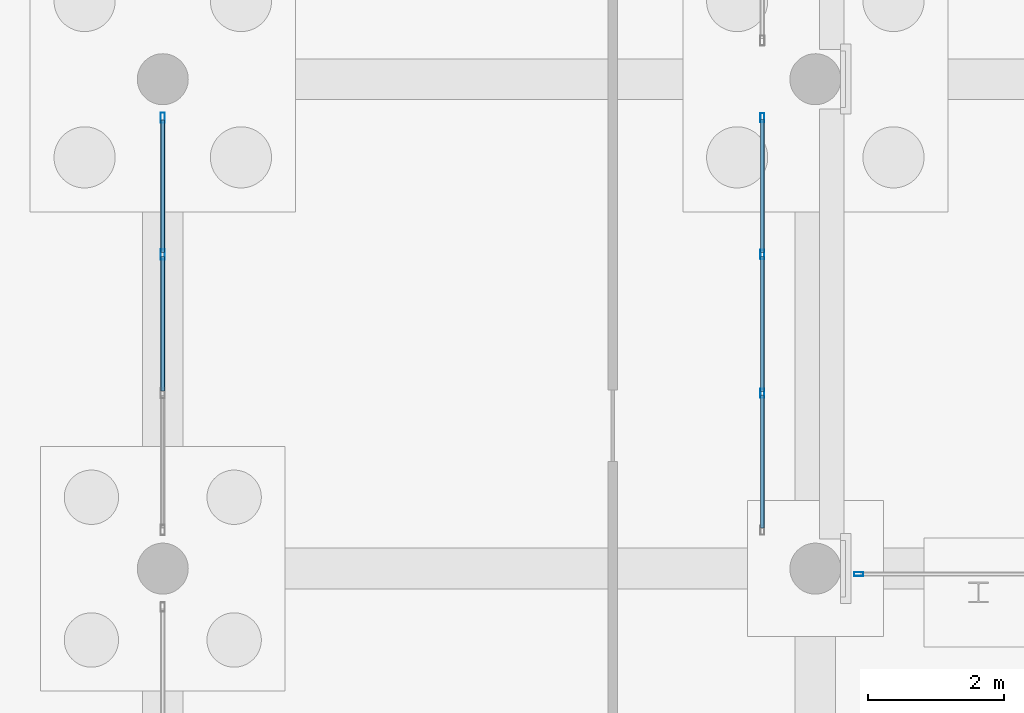
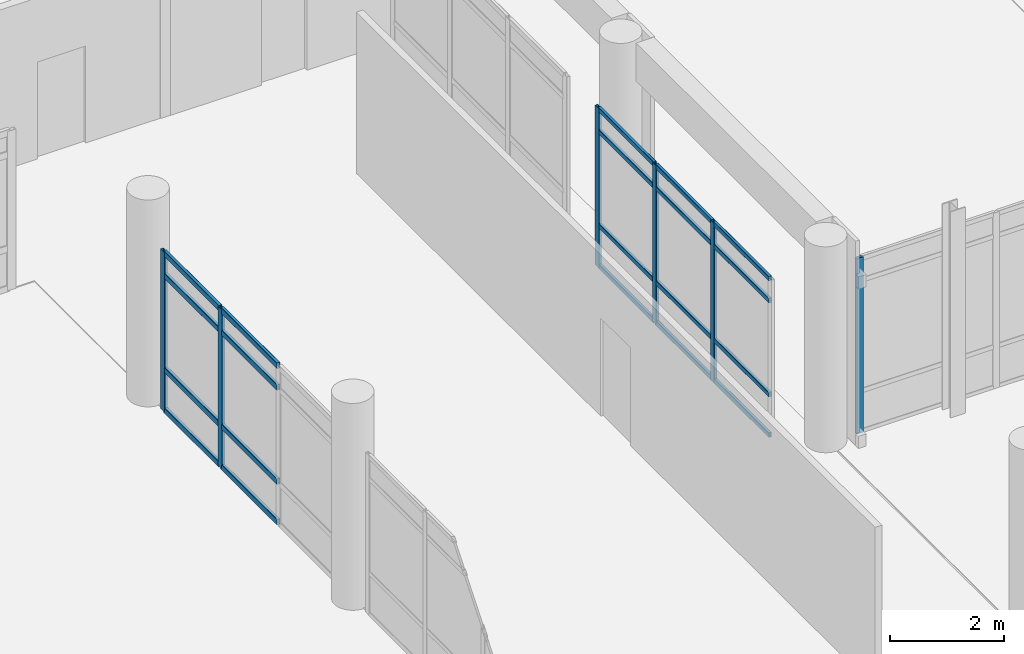
# One storey, part 108 of 196: 26 members, 3 elements without a shape of their own.
"""IFC4 building model written with IfcOpenShell, lengths in metres."""

from ifc_helpers import new_model, si_unit, direction, frame, origin, origin_2d, place, context, subcontext, project, spatial, hollow_rectangle, extrude, material, layer, layer_set, material_profile, profile_set, type_object, element, aggregate, save


model = new_model("IFC4")

# Units and contexts
model_context = context("Model", 3, precision=1e-05, world=origin(), true_north=direction((0.0, 1.0)))
body_context = subcontext(model_context, "Body", "Model", "MODEL_VIEW")
ifc_project = project(units=[si_unit("LENGTHUNIT", "METRE"), si_unit("AREAUNIT", "SQUARE_METRE"), si_unit("VOLUMEUNIT", "CUBIC_METRE"), si_unit("PLANEANGLEUNIT", "RADIAN"), si_unit("MASSUNIT", "GRAM", prefix="KILO")], contexts=[model_context])

# Site, building, storey
site_placement = place(None, origin())
site = spatial("IfcSite", under=ifc_project, at=site_placement, CompositionType="ELEMENT")
building_placement = place(site_placement, origin())
building = spatial("IfcBuilding", under=site, at=building_placement, Name="Asteropetra Specialist Clinic", CompositionType="ELEMENT")
storey_placement = place(building_placement, origin())
storey = spatial("IfcBuildingStorey", under=building, at=storey_placement, Name="L00", CompositionType="ELEMENT", Elevation=0.0)

# Curtain wall, member
ifc_material_1 = material(Name="Aluminium and low-E glass", Category="aluminium")
ifc_layer_1 = layer(ifc_material_1, 0.14990234375)
ifc_layer_set_1 = layer_set([ifc_layer_1], Name="Aluminium and low-E glass")
curtain_wall_type_1 = type_object("IfcCurtainWallType", Name="CW-SYS-02", PredefinedType="USERDEFINED", material=ifc_layer_set_1)
curtain_wall_1_placement = place(storey_placement, origin())
curtain_wall_1 = element("IfcCurtainWall", 1, at=curtain_wall_1_placement, inside=storey, type_object=curtain_wall_type_1, Name="Curtain Wall CW-110", ObjectType="UNITISED CURTAIN WALL", PredefinedType="USERDEFINED")
ifc_material_2 = material(Name="Aluminium 6063-T6", Category="aluminium")
ifc_material_profile_1 = material_profile(ifc_material_2, hollow_rectangle(XDim=0.06005859375, YDim=0.135009765625, WallThickness=0.00341796875, InnerFilletRadius=0.00341796875, OuterFilletRadius=0.007080078125, at=origin_2d()), Name="MUL 135x60x3.5")
ifc_profile_set_1 = profile_set([ifc_material_profile_1], Name="Aluminium 6063-T6")
member_type_1 = type_object("IfcMemberType", Name="CWM-135x60", PredefinedType="MULLION", material=ifc_profile_set_1)
member_1_placement = place(storey_placement, frame((77.43994140625, 83.919921875, 0.0), z_axis=(0.0, 0.0, 1.0), x_axis=(0.0, -1.0, 0.0)))
member_1 = element("IfcMember", 2, at=member_1_placement, type_object=member_type_1, Name="CW-110 mullion 4", PredefinedType="MULLION", context=body_context, shape_type="SweptSolid", body=[
    extrude(hollow_rectangle(XDim=0.06005859375, YDim=0.135009765625, WallThickness=0.00341796875, InnerFilletRadius=0.00341796875, OuterFilletRadius=0.007080078125, at=origin_2d()), origin(), (0.0, 0.0, 1.0), 3.77001953125),
])
aggregate(curtain_wall_1, [member_1])

# Curtain wall, members
ifc_material_3 = material(Name="Aluminium and low-E glass", Category="aluminium")
ifc_layer_2 = layer(ifc_material_3, 0.179931640625)
ifc_layer_set_2 = layer_set([ifc_layer_2], Name="Aluminium and low-E glass")
curtain_wall_type_2 = type_object("IfcCurtainWallType", Name="CW-SYS-10", PredefinedType="USERDEFINED", material=ifc_layer_set_2)
curtain_wall_2_placement = place(storey_placement, origin())
curtain_wall_2 = element("IfcCurtainWall", 3, at=curtain_wall_2_placement, inside=storey, type_object=curtain_wall_type_2, Name="Curtain Wall CW-188", ObjectType="STICK GLAZED COLONNADE", PredefinedType="USERDEFINED")
member_2_placement = place(storey_placement, frame((76.02001953125, 86.578369140625, 0.0), z_axis=(0.0, 0.0, 1.0), x_axis=(-1.0, 0.0, 0.0)))
member_2 = element("IfcMember", 4, at=member_2_placement, type_object=member_type_1, Name="CW-188 mullion 2", PredefinedType="MULLION", context=body_context, shape_type="SweptSolid", body=[
    extrude(hollow_rectangle(XDim=0.06005859375, YDim=0.135009765625, WallThickness=0.00341796875, InnerFilletRadius=0.00341796875, OuterFilletRadius=0.007080078125, at=origin_2d()), origin(), (0.0, 0.0, 1.0), 3.419921875),
])
member_3_placement = place(storey_placement, frame((76.02001953125, 88.62158203125, 0.0), z_axis=(0.0, 0.0, 1.0), x_axis=(-1.0, 0.0, 0.0)))
member_3 = element("IfcMember", 5, at=member_3_placement, type_object=member_type_1, Name="CW-188 mullion 3", PredefinedType="MULLION", context=body_context, shape_type="SweptSolid", body=[
    extrude(hollow_rectangle(XDim=0.06005859375, YDim=0.135009765625, WallThickness=0.00341796875, InnerFilletRadius=0.00341796875, OuterFilletRadius=0.007080078125, at=origin_2d()), origin(), (0.0, 0.0, 1.0), 3.419921875),
])
member_4_placement = place(storey_placement, frame((76.02001953125, 90.635009765625, 0.0), z_axis=(0.0, 0.0, 1.0), x_axis=(-1.0, 0.0, 0.0)))
member_4 = element("IfcMember", 6, at=member_4_placement, type_object=member_type_1, Name="CW-188 mullion 4", PredefinedType="MULLION", context=body_context, shape_type="SweptSolid", body=[
    extrude(hollow_rectangle(XDim=0.06005859375, YDim=0.135009765625, WallThickness=0.00341796875, InnerFilletRadius=0.00341796875, OuterFilletRadius=0.007080078125, at=origin_2d()), origin(), (0.0, 0.0, 1.0), 3.419921875),
])

ifc_material_4 = material(Name="Aluminium and low-E glass", Category="aluminium")
ifc_layer_3 = layer(ifc_material_4, 0.179931640625)
ifc_layer_set_3 = layer_set([ifc_layer_3], Name="Aluminium and low-E glass")
curtain_wall_type_3 = type_object("IfcCurtainWallType", Name="CW-SYS-07", PredefinedType="USERDEFINED", material=ifc_layer_set_3)
curtain_wall_3_placement = place(storey_placement, origin())
curtain_wall_3 = element("IfcCurtainWall", 7, at=curtain_wall_3_placement, inside=storey, type_object=curtain_wall_type_3, Name="Curtain Wall CW-016", ObjectType="STICK GLAZED COLONNADE", PredefinedType="USERDEFINED")
ifc_material_5 = material(Name="Aluminium 6063-T6", Category="aluminium")
ifc_material_profile_2 = material_profile(ifc_material_5, hollow_rectangle(XDim=0.06494140625, YDim=0.14990234375, WallThickness=0.00390625, InnerFilletRadius=0.00390625, OuterFilletRadius=0.008056640625, at=origin_2d()), Name="MUL 150x65x4.0")
ifc_profile_set_2 = profile_set([ifc_material_profile_2], Name="Aluminium 6063-T6")
member_type_2 = type_object("IfcMemberType", Name="CWM-150x65", PredefinedType="MULLION", material=ifc_profile_set_2)
member_5_placement = place(storey_placement, frame((67.199951171875, 88.62158203125, 0.0), z_axis=(0.0, 0.0, 1.0), x_axis=(-1.0, 0.0, 0.0)))
member_5 = element("IfcMember", 8, at=member_5_placement, type_object=member_type_2, Name="CW-016 mullion 3", PredefinedType="MULLION", context=body_context, shape_type="SweptSolid", body=[
    extrude(hollow_rectangle(XDim=0.06494140625, YDim=0.14990234375, WallThickness=0.00390625, InnerFilletRadius=0.00390625, OuterFilletRadius=0.008056640625, at=origin_2d()), origin(), (0.0, 0.0, 1.0), 3.419921875),
])
member_6_placement = place(storey_placement, frame((67.199951171875, 90.632568359375, 0.0), z_axis=(0.0, 0.0, 1.0), x_axis=(-1.0, 0.0, 0.0)))
member_6 = element("IfcMember", 9, at=member_6_placement, type_object=member_type_2, Name="CW-016 mullion 4", PredefinedType="MULLION", context=body_context, shape_type="SweptSolid", body=[
    extrude(hollow_rectangle(XDim=0.06494140625, YDim=0.14990234375, WallThickness=0.00390625, InnerFilletRadius=0.00390625, OuterFilletRadius=0.008056640625, at=origin_2d()), origin(), (0.0, 0.0, 1.0), 3.419921875),
])

# Member
ifc_material_6 = material(Name="Aluminium 6063-T6", Category="aluminium")
ifc_material_profile_3 = material_profile(ifc_material_6, hollow_rectangle(XDim=0.06005859375, YDim=0.10009765625, WallThickness=0.00341796875, InnerFilletRadius=0.00341796875, OuterFilletRadius=0.007080078125, at=origin_2d()), Name="TRN 100x60x3.5")
ifc_profile_set_3 = profile_set([ifc_material_profile_3], Name="Aluminium 6063-T6")
member_type_3 = type_object("IfcMemberType", Name="CWT-100x60", PredefinedType="USERDEFINED", material=ifc_profile_set_3)
member_7_placement = place(storey_placement, frame((76.02001953125, 84.594970703125, 0.030029296875), z_axis=(0.0, 1.0, 0.0), x_axis=(-1.0, 0.0, 0.0)))
member_7 = element("IfcMember", 10, at=member_7_placement, type_object=member_type_3, Name="CW-188 transom 1.1", ObjectType="TRANSOM", PredefinedType="USERDEFINED", context=body_context, shape_type="SweptSolid", body=[
    extrude(hollow_rectangle(XDim=0.06005859375, YDim=0.10009765625, WallThickness=0.00341796875, InnerFilletRadius=0.00341796875, OuterFilletRadius=0.007080078125, at=origin_2d()), origin(), (0.0, 0.0, 1.0), 1.953369140625),
])

member_8_placement = place(storey_placement, frame((76.02001953125, 84.594970703125, 0.89990234375), z_axis=(0.0, 1.0, 0.0), x_axis=(-1.0, 0.0, 0.0)))
member_8 = element("IfcMember", 11, at=member_8_placement, type_object=member_type_3, Name="CW-188 transom 1.2", ObjectType="TRANSOM", PredefinedType="USERDEFINED", context=body_context, shape_type="SweptSolid", body=[
    extrude(hollow_rectangle(XDim=0.06005859375, YDim=0.10009765625, WallThickness=0.00341796875, InnerFilletRadius=0.00341796875, OuterFilletRadius=0.007080078125, at=origin_2d()), origin(), (0.0, 0.0, 1.0), 1.953369140625),
])

member_9_placement = place(storey_placement, frame((76.02001953125, 84.594970703125, 2.919921875), z_axis=(0.0, 1.0, 0.0), x_axis=(-1.0, 0.0, 0.0)))
member_9 = element("IfcMember", 12, at=member_9_placement, type_object=member_type_3, Name="CW-188 transom 1.3", ObjectType="TRANSOM", PredefinedType="USERDEFINED", context=body_context, shape_type="SweptSolid", body=[
    extrude(hollow_rectangle(XDim=0.06005859375, YDim=0.10009765625, WallThickness=0.00341796875, InnerFilletRadius=0.00341796875, OuterFilletRadius=0.007080078125, at=origin_2d()), origin(), (0.0, 0.0, 1.0), 1.953369140625),
])

member_10_placement = place(storey_placement, frame((76.02001953125, 84.594970703125, 3.389892578125), z_axis=(0.0, 1.0, 0.0), x_axis=(-1.0, 0.0, 0.0)))
member_10 = element("IfcMember", 13, at=member_10_placement, type_object=member_type_3, Name="CW-188 transom 1.4", ObjectType="TRANSOM", PredefinedType="USERDEFINED", context=body_context, shape_type="SweptSolid", body=[
    extrude(hollow_rectangle(XDim=0.06005859375, YDim=0.10009765625, WallThickness=0.00341796875, InnerFilletRadius=0.00341796875, OuterFilletRadius=0.007080078125, at=origin_2d()), origin(), (0.0, 0.0, 1.0), 1.953369140625),
])

member_11_placement = place(storey_placement, frame((76.02001953125, 86.6083984375, 0.030029296875), z_axis=(0.0, 1.0, 0.0), x_axis=(-1.0, 0.0, 0.0)))
member_11 = element("IfcMember", 14, at=member_11_placement, type_object=member_type_3, Name="CW-188 transom 2.1", ObjectType="TRANSOM", PredefinedType="USERDEFINED", context=body_context, shape_type="SweptSolid", body=[
    extrude(hollow_rectangle(XDim=0.06005859375, YDim=0.10009765625, WallThickness=0.00341796875, InnerFilletRadius=0.00341796875, OuterFilletRadius=0.007080078125, at=origin_2d()), origin(), (0.0, 0.0, 1.0), 1.983154296875),
])

member_12_placement = place(storey_placement, frame((76.02001953125, 86.6083984375, 0.89990234375), z_axis=(0.0, 1.0, 0.0), x_axis=(-1.0, 0.0, 0.0)))
member_12 = element("IfcMember", 15, at=member_12_placement, type_object=member_type_3, Name="CW-188 transom 2.2", ObjectType="TRANSOM", PredefinedType="USERDEFINED", context=body_context, shape_type="SweptSolid", body=[
    extrude(hollow_rectangle(XDim=0.06005859375, YDim=0.10009765625, WallThickness=0.00341796875, InnerFilletRadius=0.00341796875, OuterFilletRadius=0.007080078125, at=origin_2d()), origin(), (0.0, 0.0, 1.0), 1.983154296875),
])

member_13_placement = place(storey_placement, frame((76.02001953125, 86.6083984375, 2.919921875), z_axis=(0.0, 1.0, 0.0), x_axis=(-1.0, 0.0, 0.0)))
member_13 = element("IfcMember", 16, at=member_13_placement, type_object=member_type_3, Name="CW-188 transom 2.3", ObjectType="TRANSOM", PredefinedType="USERDEFINED", context=body_context, shape_type="SweptSolid", body=[
    extrude(hollow_rectangle(XDim=0.06005859375, YDim=0.10009765625, WallThickness=0.00341796875, InnerFilletRadius=0.00341796875, OuterFilletRadius=0.007080078125, at=origin_2d()), origin(), (0.0, 0.0, 1.0), 1.983154296875),
])

member_14_placement = place(storey_placement, frame((76.02001953125, 86.6083984375, 3.389892578125), z_axis=(0.0, 1.0, 0.0), x_axis=(-1.0, 0.0, 0.0)))
member_14 = element("IfcMember", 17, at=member_14_placement, type_object=member_type_3, Name="CW-188 transom 2.4", ObjectType="TRANSOM", PredefinedType="USERDEFINED", context=body_context, shape_type="SweptSolid", body=[
    extrude(hollow_rectangle(XDim=0.06005859375, YDim=0.10009765625, WallThickness=0.00341796875, InnerFilletRadius=0.00341796875, OuterFilletRadius=0.007080078125, at=origin_2d()), origin(), (0.0, 0.0, 1.0), 1.983154296875),
])

member_15_placement = place(storey_placement, frame((76.02001953125, 88.651611328125, 0.030029296875), z_axis=(0.0, 1.0, 0.0), x_axis=(-1.0, 0.0, 0.0)))
member_15 = element("IfcMember", 18, at=member_15_placement, type_object=member_type_3, Name="CW-188 transom 3.1", ObjectType="TRANSOM", PredefinedType="USERDEFINED", context=body_context, shape_type="SweptSolid", body=[
    extrude(hollow_rectangle(XDim=0.06005859375, YDim=0.10009765625, WallThickness=0.00341796875, InnerFilletRadius=0.00341796875, OuterFilletRadius=0.007080078125, at=origin_2d()), origin(), (0.0, 0.0, 1.0), 1.953369140625),
])

member_16_placement = place(storey_placement, frame((76.02001953125, 88.651611328125, 0.89990234375), z_axis=(0.0, 1.0, 0.0), x_axis=(-1.0, 0.0, 0.0)))
member_16 = element("IfcMember", 19, at=member_16_placement, type_object=member_type_3, Name="CW-188 transom 3.2", ObjectType="TRANSOM", PredefinedType="USERDEFINED", context=body_context, shape_type="SweptSolid", body=[
    extrude(hollow_rectangle(XDim=0.06005859375, YDim=0.10009765625, WallThickness=0.00341796875, InnerFilletRadius=0.00341796875, OuterFilletRadius=0.007080078125, at=origin_2d()), origin(), (0.0, 0.0, 1.0), 1.953369140625),
])

member_17_placement = place(storey_placement, frame((76.02001953125, 88.651611328125, 2.919921875), z_axis=(0.0, 1.0, 0.0), x_axis=(-1.0, 0.0, 0.0)))
member_17 = element("IfcMember", 20, at=member_17_placement, type_object=member_type_3, Name="CW-188 transom 3.3", ObjectType="TRANSOM", PredefinedType="USERDEFINED", context=body_context, shape_type="SweptSolid", body=[
    extrude(hollow_rectangle(XDim=0.06005859375, YDim=0.10009765625, WallThickness=0.00341796875, InnerFilletRadius=0.00341796875, OuterFilletRadius=0.007080078125, at=origin_2d()), origin(), (0.0, 0.0, 1.0), 1.953369140625),
])

member_18_placement = place(storey_placement, frame((76.02001953125, 88.651611328125, 3.389892578125), z_axis=(0.0, 1.0, 0.0), x_axis=(-1.0, 0.0, 0.0)))
member_18 = element("IfcMember", 21, at=member_18_placement, type_object=member_type_3, Name="CW-188 transom 3.4", ObjectType="TRANSOM", PredefinedType="USERDEFINED", context=body_context, shape_type="SweptSolid", body=[
    extrude(hollow_rectangle(XDim=0.06005859375, YDim=0.10009765625, WallThickness=0.00341796875, InnerFilletRadius=0.00341796875, OuterFilletRadius=0.007080078125, at=origin_2d()), origin(), (0.0, 0.0, 1.0), 1.953369140625),
])

aggregate(curtain_wall_2, [member_2, member_3, member_4, member_7, member_8, member_9, member_10, member_11, member_12, member_13, member_14, member_15, member_16, member_17, member_18])

ifc_material_7 = material(Name="Aluminium 6063-T6", Category="aluminium")
ifc_material_profile_4 = material_profile(ifc_material_7, hollow_rectangle(XDim=0.06494140625, YDim=0.1201171875, WallThickness=0.00390625, InnerFilletRadius=0.00390625, OuterFilletRadius=0.008056640625, at=origin_2d()), Name="TRN 120x65x4.0")
ifc_profile_set_4 = profile_set([ifc_material_profile_4], Name="Aluminium 6063-T6")
member_type_4 = type_object("IfcMemberType", Name="CWT-120x65", PredefinedType="USERDEFINED", material=ifc_profile_set_4)
member_19_placement = place(storey_placement, frame((67.199951171875, 86.61083984375, 0.032470703125), z_axis=(0.0, 1.0, 0.0), x_axis=(-1.0, 0.0, 0.0)))
member_19 = element("IfcMember", 22, at=member_19_placement, type_object=member_type_4, Name="CW-016 transom 2.1", ObjectType="TRANSOM", PredefinedType="USERDEFINED", context=body_context, shape_type="SweptSolid", body=[
    extrude(hollow_rectangle(XDim=0.06494140625, YDim=0.1201171875, WallThickness=0.00390625, InnerFilletRadius=0.00390625, OuterFilletRadius=0.008056640625, at=origin_2d()), origin(), (0.0, 0.0, 1.0), 1.978271484375),
])

member_20_placement = place(storey_placement, frame((67.199951171875, 86.61083984375, 0.89990234375), z_axis=(0.0, 1.0, 0.0), x_axis=(-1.0, 0.0, 0.0)))
member_20 = element("IfcMember", 23, at=member_20_placement, type_object=member_type_4, Name="CW-016 transom 2.2", ObjectType="TRANSOM", PredefinedType="USERDEFINED", context=body_context, shape_type="SweptSolid", body=[
    extrude(hollow_rectangle(XDim=0.06494140625, YDim=0.1201171875, WallThickness=0.00390625, InnerFilletRadius=0.00390625, OuterFilletRadius=0.008056640625, at=origin_2d()), origin(), (0.0, 0.0, 1.0), 1.978271484375),
])

member_21_placement = place(storey_placement, frame((67.199951171875, 86.61083984375, 2.919921875), z_axis=(0.0, 1.0, 0.0), x_axis=(-1.0, 0.0, 0.0)))
member_21 = element("IfcMember", 24, at=member_21_placement, type_object=member_type_4, Name="CW-016 transom 2.3", ObjectType="TRANSOM", PredefinedType="USERDEFINED", context=body_context, shape_type="SweptSolid", body=[
    extrude(hollow_rectangle(XDim=0.06494140625, YDim=0.1201171875, WallThickness=0.00390625, InnerFilletRadius=0.00390625, OuterFilletRadius=0.008056640625, at=origin_2d()), origin(), (0.0, 0.0, 1.0), 1.978271484375),
])

member_22_placement = place(storey_placement, frame((67.199951171875, 86.61083984375, 3.387451171875), z_axis=(0.0, 1.0, 0.0), x_axis=(-1.0, 0.0, 0.0)))
member_22 = element("IfcMember", 25, at=member_22_placement, type_object=member_type_4, Name="CW-016 transom 2.4", ObjectType="TRANSOM", PredefinedType="USERDEFINED", context=body_context, shape_type="SweptSolid", body=[
    extrude(hollow_rectangle(XDim=0.06494140625, YDim=0.1201171875, WallThickness=0.00390625, InnerFilletRadius=0.00390625, OuterFilletRadius=0.008056640625, at=origin_2d()), origin(), (0.0, 0.0, 1.0), 1.978271484375),
])

member_23_placement = place(storey_placement, frame((67.199951171875, 88.654052734375, 0.032470703125), z_axis=(0.0, 1.0, 0.0), x_axis=(-1.0, 0.0, 0.0)))
member_23 = element("IfcMember", 26, at=member_23_placement, type_object=member_type_4, Name="CW-016 transom 3.1", ObjectType="TRANSOM", PredefinedType="USERDEFINED", context=body_context, shape_type="SweptSolid", body=[
    extrude(hollow_rectangle(XDim=0.06494140625, YDim=0.1201171875, WallThickness=0.00390625, InnerFilletRadius=0.00390625, OuterFilletRadius=0.008056640625, at=origin_2d()), origin(), (0.0, 0.0, 1.0), 1.946044921875),
])

member_24_placement = place(storey_placement, frame((67.199951171875, 88.654052734375, 0.89990234375), z_axis=(0.0, 1.0, 0.0), x_axis=(-1.0, 0.0, 0.0)))
member_24 = element("IfcMember", 27, at=member_24_placement, type_object=member_type_4, Name="CW-016 transom 3.2", ObjectType="TRANSOM", PredefinedType="USERDEFINED", context=body_context, shape_type="SweptSolid", body=[
    extrude(hollow_rectangle(XDim=0.06494140625, YDim=0.1201171875, WallThickness=0.00390625, InnerFilletRadius=0.00390625, OuterFilletRadius=0.008056640625, at=origin_2d()), origin(), (0.0, 0.0, 1.0), 1.946044921875),
])

member_25_placement = place(storey_placement, frame((67.199951171875, 88.654052734375, 2.919921875), z_axis=(0.0, 1.0, 0.0), x_axis=(-1.0, 0.0, 0.0)))
member_25 = element("IfcMember", 28, at=member_25_placement, type_object=member_type_4, Name="CW-016 transom 3.3", ObjectType="TRANSOM", PredefinedType="USERDEFINED", context=body_context, shape_type="SweptSolid", body=[
    extrude(hollow_rectangle(XDim=0.06494140625, YDim=0.1201171875, WallThickness=0.00390625, InnerFilletRadius=0.00390625, OuterFilletRadius=0.008056640625, at=origin_2d()), origin(), (0.0, 0.0, 1.0), 1.946044921875),
])

member_26_placement = place(storey_placement, frame((67.199951171875, 88.654052734375, 3.387451171875), z_axis=(0.0, 1.0, 0.0), x_axis=(-1.0, 0.0, 0.0)))
member_26 = element("IfcMember", 29, at=member_26_placement, type_object=member_type_4, Name="CW-016 transom 3.4", ObjectType="TRANSOM", PredefinedType="USERDEFINED", context=body_context, shape_type="SweptSolid", body=[
    extrude(hollow_rectangle(XDim=0.06494140625, YDim=0.1201171875, WallThickness=0.00390625, InnerFilletRadius=0.00390625, OuterFilletRadius=0.008056640625, at=origin_2d()), origin(), (0.0, 0.0, 1.0), 1.946044921875),
])

aggregate(curtain_wall_3, [member_5, member_6, member_19, member_20, member_21, member_22, member_23, member_24, member_25, member_26])

save(model, "model.ifc")
